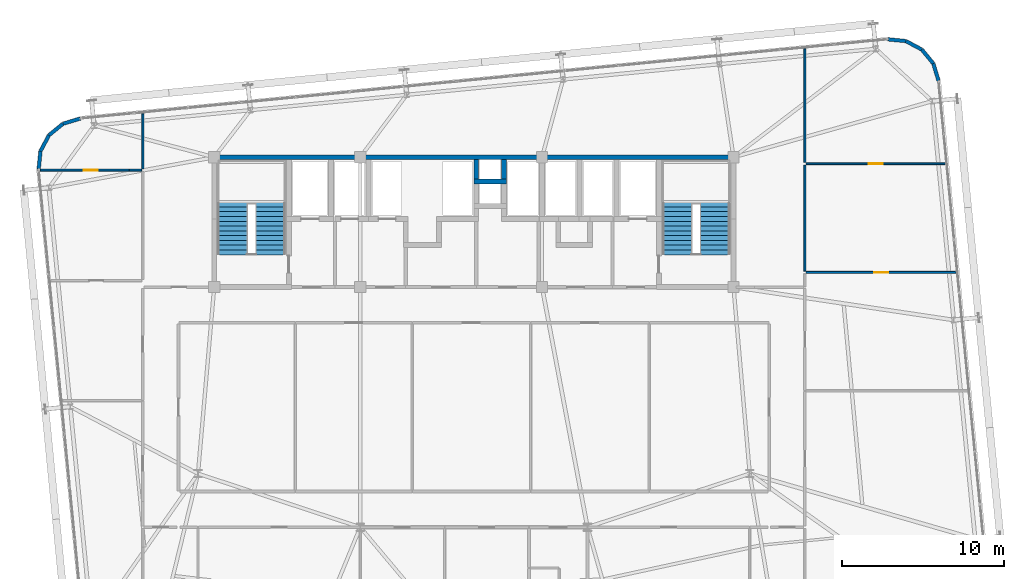
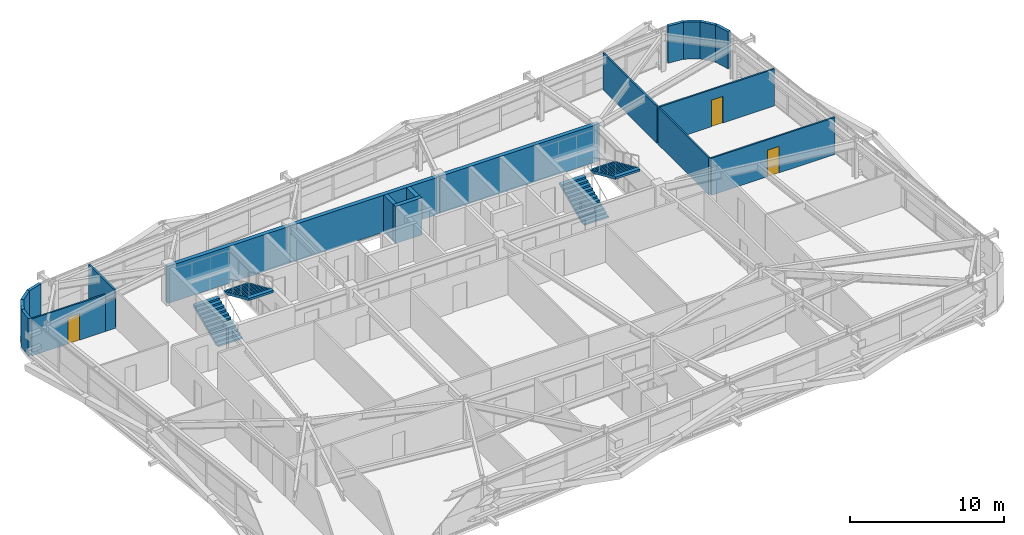
# One storey, part 49 of 52: 21 walls, 4 stair flights, 3 doors, 3 openings, 2 elements without a shape of their own.
"""IFC4 building model written with IfcOpenShell, lengths in metres."""

from ifc_helpers import new_model, si_unit, direction, frame, frame_2d, origin, place, context, subcontext, project, spatial, polyline, rectangle, outline, extrude, source, transform, mapped, material, layer, layer_set, type_object, element, fill, aggregate, save


model = new_model("IFC4")

# Units and contexts
model_context = context("Model", 3, precision=1e-05, world=origin(), true_north=direction((0.0, 1.0)))
body_context = subcontext(model_context, "Body", "Model", "MODEL_VIEW")
ifc_project = project(units=[si_unit("LENGTHUNIT", "METRE"), si_unit("AREAUNIT", "SQUARE_METRE"), si_unit("VOLUMEUNIT", "CUBIC_METRE"), si_unit("PLANEANGLEUNIT", "RADIAN"), si_unit("MASSUNIT", "GRAM", prefix="KILO")], contexts=[model_context])

# Site, building, storey
site_placement = place(None, origin())
site = spatial("IfcSite", under=ifc_project, at=site_placement, CompositionType="ELEMENT")
building_placement = place(site_placement, origin())
building = spatial("IfcBuilding", under=site, at=building_placement, Name="Taldren Reach Tower", CompositionType="ELEMENT")
storey_placement = place(building_placement, frame((0.0, 0.0, 93.449951171875)))
storey = spatial("IfcBuildingStorey", under=building, at=storey_placement, Name="L28", CompositionType="ELEMENT", Elevation=93.449951171875)

# Walls
ifc_material_1 = material(Name="Pale Champagne Anodised Aluminium Cladding", Category="aluminium")
ifc_layer_1 = layer(ifc_material_1, 0.04, Name="Pale Champagne Anodised Aluminium Cladding", Category="aluminium")
ifc_material_2 = material(Name="Mineral Wool Acoustic Insulation", Category="insulation")
ifc_layer_2 = layer(ifc_material_2, 0.06, Name="Mineral Wool Acoustic Insulation", Category="insulation")
ifc_material_3 = material(Name="Steel Gr 350 (C350L0)", Category="steel")
ifc_layer_3 = layer(ifc_material_3, 0.12, Name="Steel Gr 350 (C350L0)", Category="steel")
ifc_layer_set_1 = layer_set([ifc_layer_1, ifc_layer_2, ifc_layer_3], Name="Pale Champagne Aluminium Cladding and Steel Gr 350 Stud Framing")
wall_type_1 = type_object("IfcWallType", Name="EW-CRN-220", PredefinedType="SOLIDWALL", material=ifc_layer_set_1)
shared_shape_1 = source(origin(), body_context, "Body", "SweptSolid", [
    extrude(rectangle(XDim=1.115966796875, YDim=0.219970703125, at=frame_2d((0.55810546875, 0.0))), origin(), (0.0, 0.0, 1.0), 2.929931640625),
])
for number, where, z_axis, x_axis, name in (
    (1, (63.6376953125, 36.6982421875, 0.0), (0.0, 0.0, 1.0), (-0.289855603468, 0.957070388811, 0.0), "Rounded-corner pale-metal facade wall L28-NE1"),
    (2, (62.606689453125, 38.629150390625, 0.0), (0.0, 0.0, 1.0), (-0.881655534635, 0.471893545461, 0.0), "Rounded-corner pale-metal facade wall L28-NE3"),
    (3, (61.622802734375, 39.15576171875, 0.0), (0.0, 0.0, 1.0), (-0.995142755671, 0.09844234778, 0.0), "Rounded-corner pale-metal facade wall L28-NE4"),
    (4, (10.7509765625, 34.386474609375, 0.0), (0.0, 0.0, 1.0), (-0.957070388811, -0.289855603468, 0.0), "Rounded-corner pale-metal facade wall L28-NW1"),
):
    element("IfcWall", number, at=place(storey_placement, frame(where, z_axis=z_axis, x_axis=x_axis)), inside=storey, type_object=wall_type_1, Name=name, PredefinedType="SOLIDWALL", context=body_context, shape_type="MappedRepresentation", body=[
        mapped(shared_shape_1, transform((0.0, 0.0, 0.0), scale=1.0)),
    ])
shared_shape_2 = source(origin(), body_context, "Body", "SweptSolid", [
    extrude(rectangle(XDim=1.11572265625, YDim=0.219970703125, at=frame_2d((0.557861328125, 0.0))), origin(), (0.0, 0.0, 1.0), 2.929931640625),
])
for number, where, z_axis, x_axis, name in (
    (5, (63.314208984375, 37.766357421875, 0.0), (0.0, 0.0, 1.0), (-0.634095287989, 0.773254916409, 0.0), "Rounded-corner pale-metal facade wall L28-NE2"),
    (6, (9.682861328125, 34.06298828125, 0.0), (0.0, 0.0, 1.0), (-0.773254916409, -0.634095287989, 0.0), "Rounded-corner pale-metal facade wall L28-NW2"),
    (7, (8.29345703125, 32.371337890625, 0.0), (0.0, 0.0, 1.0), (-0.098463783145, -0.99514063499, 0.0), "Rounded-corner pale-metal facade wall L28-NW4"),
):
    element("IfcWall", number, at=place(storey_placement, frame(where, z_axis=z_axis, x_axis=x_axis)), inside=storey, type_object=wall_type_1, Name=name, PredefinedType="SOLIDWALL", context=body_context, shape_type="MappedRepresentation", body=[
        mapped(shared_shape_2, transform((0.0, 0.0, 0.0), scale=1.0)),
    ])
shared_shape_3 = source(origin(), body_context, "Body", "SweptSolid", [
    extrude(rectangle(XDim=1.1162109375, YDim=0.219970703125, at=frame_2d((0.55810546875, 0.0))), origin(), (0.0, 0.0, 1.0), 2.929931640625),
])
wall_1_placement = place(storey_placement, frame((8.820068359375, 33.35546875, 0.0), z_axis=(0.0, 0.0, 1.0), x_axis=(-0.471802540493, -0.881704237704, 0.0)))
element("IfcWall", 8, at=wall_1_placement, inside=storey, type_object=wall_type_1, Name="Rounded-corner pale-metal facade wall L28-NW3", PredefinedType="SOLIDWALL", context=body_context, shape_type="MappedRepresentation", body=[
    mapped(shared_shape_3, transform((0.0, 0.0, 0.0), scale=1.0)),
])
ifc_material_4 = material(Name="Concrete S65 (65 MPa)", Category="concrete")
ifc_layer_4 = layer(ifc_material_4, 0.300048828125)
ifc_layer_set_2 = layer_set([ifc_layer_4], Name="Concrete S65 (65 MPa)")
wall_type_2 = type_object("IfcWallType", Name="IW-CORE-300", PredefinedType="SHEAR", material=ifc_layer_set_2)
shared_shape_4 = source(origin(), body_context, "Body", "SweptSolid", [
    extrude(rectangle(XDim=9.14990234375, YDim=0.300048828125, at=frame_2d((4.574951171875, 0.0))), origin(), (0.0, 0.0, 1.0), 2.929931640625),
])
wall_2_placement = place(storey_placement, frame((18.85009765625, 32.0, 0.0), z_axis=(0.0, 0.0, 1.0), x_axis=(1.0, 0.0, 0.0)))
element("IfcWall", 9, at=wall_2_placement, inside=storey, type_object=wall_type_2, Name="Rear Core Shear Wall W-CORE-L28-NORTH1", PredefinedType="SHEAR", context=body_context, shape_type="MappedRepresentation", body=[
    mapped(shared_shape_4, transform((0.0, 0.0, 0.0), scale=1.0)),
])
shared_shape_5 = source(origin(), body_context, "Body", "SweptSolid", [
    extrude(rectangle(XDim=11.199951171875, YDim=0.300048828125, at=frame_2d((5.60009765625, 0.0))), origin(), (0.0, 0.0, 1.0), 2.929931640625),
])
wall_3_placement = place(storey_placement, frame((28.0, 32.0, 0.0), z_axis=(0.0, 0.0, 1.0), x_axis=(1.0, 0.0, 0.0)))
element("IfcWall", 10, at=wall_3_placement, inside=storey, type_object=wall_type_2, Name="Rear Core Shear Wall W-CORE-L28-NORTH2", PredefinedType="SHEAR", context=body_context, shape_type="MappedRepresentation", body=[
    mapped(shared_shape_5, transform((0.0, 0.0, 0.0), scale=1.0)),
])
shared_shape_6 = source(origin(), body_context, "Body", "SweptSolid", [
    extrude(rectangle(XDim=11.949951171875, YDim=0.300048828125, at=frame_2d((5.97509765625, 0.0))), origin(), (0.0, 0.0, 1.0), 2.929931640625),
])
wall_4_placement = place(storey_placement, frame((39.199951171875, 32.0, 0.0), z_axis=(0.0, 0.0, 1.0), x_axis=(1.0, 0.0, 0.0)))
element("IfcWall", 11, at=wall_4_placement, inside=storey, type_object=wall_type_2, Name="Rear Core Shear Wall W-CORE-L28-NORTH3", PredefinedType="SHEAR", context=body_context, shape_type="MappedRepresentation", body=[
    mapped(shared_shape_6, transform((0.0, 0.0, 0.0), scale=1.0)),
])
shared_shape_7 = source(origin(), body_context, "Body", "SweptSolid", [
    extrude(rectangle(XDim=2.0, YDim=0.300048828125, at=frame_2d((1.0, 0.0))), origin(), (0.0, 0.0, 1.0), 2.929931640625),
])
wall_5_placement = place(storey_placement, frame((35.0, 30.5, 0.0), z_axis=(0.0, 0.0, 1.0), x_axis=(1.0, 0.0, 0.0)))
element("IfcWall", 12, at=wall_5_placement, inside=storey, type_object=wall_type_2, Name="Rear Core Shear Wall W-INT-L28-015", PredefinedType="SHEAR", context=body_context, shape_type="MappedRepresentation", body=[
    mapped(shared_shape_7, transform((0.0, 0.0, 0.0), scale=1.0)),
])
shared_shape_8 = source(origin(), body_context, "Body", "SweptSolid", [
    extrude(rectangle(XDim=1.2001953125, YDim=0.300048828125, at=frame_2d((0.60009765625, 0.0))), origin(), (0.0, 0.0, 1.0), 2.929931640625),
])
for number, where, z_axis, x_axis, name in (
    (13, (35.14990234375, 31.85009765625, 0.0), (0.0, 0.0, 1.0), (0.0, -1.0, 0.0), "Rear Core Shear Wall W-INT-L28-016"),
    (14, (36.85009765625, 30.64990234375, 0.0), (0.0, 0.0, 1.0), (0.0, 1.0, 0.0), "Rear Core Shear Wall W-INT-L28-017"),
):
    element("IfcWall", number, at=place(storey_placement, frame(where, z_axis=z_axis, x_axis=x_axis)), inside=storey, type_object=wall_type_2, Name=name, PredefinedType="SHEAR", context=body_context, shape_type="MappedRepresentation", body=[
        mapped(shared_shape_8, transform((0.0, 0.0, 0.0), scale=1.0)),
    ])

# Wall, opening, door
ifc_material_5 = material(Name="Insulated Residential Stud Partition", Category="gypsum")
ifc_layer_5 = layer(ifc_material_5, 0.1201171875)
ifc_layer_set_3 = layer_set([ifc_layer_5], Name="Insulated Residential Stud Partition")
wall_type_3 = type_object("IfcWallType", Name="IW-PART-120", PredefinedType="PARTITIONING", material=ifc_layer_set_3)
shared_shape_9 = source(origin(), body_context, "Body", "SweptSolid", [
    extrude(rectangle(XDim=5.48388671875, YDim=0.1201171875, at=frame_2d((2.741943359375, 0.0))), origin(), (0.0, 0.0, 1.0), 2.929931640625),
])
wall_6_placement = place(storey_placement, frame((8.287841796875, 31.199951171875, 0.0), z_axis=(0.0, 0.0, 1.0), x_axis=(1.0, 0.0, 0.0)))
wall_6 = element("IfcWall", 15, at=wall_6_placement, inside=storey, type_object=wall_type_3, Name="Interior Partition Wall W-INT-L28-093", PredefinedType="PARTITIONING", context=body_context, shape_type="MappedRepresentation", body=[
    mapped(shared_shape_9, transform((0.0, 0.0, 0.0), scale=1.0)),
])
shared_shape_10 = source(origin(), body_context, "Body", "SweptSolid", [
    extrude(rectangle(XDim=0.860107421875, YDim=2.10009765625, at=frame_2d((0.43017578125, 1.050048828125))), frame((0.0, 0.070068359375, 0.0), z_axis=(0.0, -1.0, 0.0), x_axis=(1.0, 0.0, 0.0)), (0.0, 0.0, 1.0), 0.14013671875),
])
opening_1_placement = place(wall_6_placement, frame((2.68603515625, 0.0, 0.0)))
opening_1 = element("IfcOpeningElement", 16, at=opening_1_placement, cuts=wall_6, Name="Opening DI-086", PredefinedType="OPENING", context=body_context, shape_type="MappedRepresentation", body=[
    mapped(shared_shape_10, transform((0.0, 0.0, 0.0), scale=1.0)),
])
ifc_material_6 = material(Name="Timber Bathroom Door", Category="wood")
door_type = type_object("IfcDoorType", Name="ID-INT-086", OperationType="NOTDEFINED", PredefinedType="DOOR", material=ifc_material_6)
shared_shape_11 = source(origin(), body_context, "Body", "SweptSolid", [
    extrude(rectangle(XDim=0.860107421875, YDim=2.10009765625, at=frame_2d((0.43017578125, 1.050048828125))), frame((0.0, 0.02490234375, 0.0), z_axis=(0.0, -1.0, 0.0), x_axis=(1.0, 0.0, 0.0)), (0.0, 0.0, 1.0), 0.050048828125),
])
door_1_placement = place(opening_1_placement, origin())
door_1 = element("IfcDoor", 17, at=door_1_placement, inside=storey, type_object=door_type, Name="Interior Door DR-L28-028", OperationType="SINGLE_SWING_LEFT", OverallHeight=2.10009765625, OverallWidth=0.860107421875, PredefinedType="DOOR", context=body_context, shape_type="MappedRepresentation", body=[
    mapped(shared_shape_11, transform((0.0, 0.0, 0.0), scale=1.0)),
])
fill(opening_1, door_1)

# Walls
shared_shape_12 = source(origin(), body_context, "Body", "SweptSolid", [
    extrude(rectangle(XDim=0.748291015625, YDim=0.1201171875, at=frame_2d((0.3740234375, 0.0))), origin(), (0.0, 0.0, 1.0), 2.39697265625),
])
wall_7_placement = place(storey_placement, frame((13.771728515625, 31.199951171875, 0.0), z_axis=(0.0, 0.0, 1.0), x_axis=(1.0, 0.0, 0.0)))
element("IfcWall", 18, at=wall_7_placement, inside=storey, type_object=wall_type_3, Name="Interior Partition Wall W-INT-L28-093 part 2", PredefinedType="PARTITIONING", context=body_context, shape_type="MappedRepresentation", body=[
    mapped(shared_shape_12, transform((0.0, 0.0, 0.0), scale=1.0)),
])
shared_shape_13 = source(origin(), body_context, "Body", "SweptSolid", [
    extrude(rectangle(XDim=3.385498046875, YDim=0.1201171875, at=frame_2d((1.69287109375, 0.0))), origin(), (0.0, 0.0, 1.0), 2.929931640625),
])
wall_8_placement = place(storey_placement, frame((14.60009765625, 34.66552734375, 0.0), z_axis=(0.0, 0.0, 1.0), x_axis=(0.0, -1.0, 0.0)))
element("IfcWall", 19, at=wall_8_placement, inside=storey, type_object=wall_type_3, Name="Interior Partition Wall W-INT-L28-095", PredefinedType="PARTITIONING", context=body_context, shape_type="MappedRepresentation", body=[
    mapped(shared_shape_13, transform((0.0, 0.0, 0.0), scale=1.0)),
])

# Wall, opening, door
shared_shape_14 = source(origin(), body_context, "Body", "SweptSolid", [
    extrude(rectangle(XDim=9.23193359375, YDim=0.1201171875, at=frame_2d((4.615966796875, 0.0))), origin(), (0.0, 0.0, 1.0), 2.929931640625),
])
wall_9_placement = place(storey_placement, frame((55.47998046875, 24.89990234375, 0.0), z_axis=(0.0, 0.0, 1.0), x_axis=(1.0, 0.0, 0.0)))
wall_9 = element("IfcWall", 20, at=wall_9_placement, inside=storey, type_object=wall_type_3, Name="Interior Partition Wall W-INT-L28-097", PredefinedType="PARTITIONING", context=body_context, shape_type="MappedRepresentation", body=[
    mapped(shared_shape_14, transform((0.0, 0.0, 0.0), scale=1.0)),
])
opening_2_placement = place(wall_9_placement, frame((4.18603515625, 0.0, 0.0)))
opening_2 = element("IfcOpeningElement", 21, at=opening_2_placement, cuts=wall_9, Name="Opening DI-086", PredefinedType="OPENING", context=body_context, shape_type="MappedRepresentation", body=[
    mapped(shared_shape_10, transform((0.0, 0.0, 0.0), scale=1.0)),
])
door_2_placement = place(opening_2_placement, origin())
door_2 = element("IfcDoor", 22, at=door_2_placement, inside=storey, type_object=door_type, Name="Interior Door DR-L28-029", OperationType="SINGLE_SWING_RIGHT", OverallHeight=2.10009765625, OverallWidth=0.860107421875, PredefinedType="DOOR", context=body_context, shape_type="MappedRepresentation", body=[
    mapped(shared_shape_11, transform((0.0, 0.0, 0.0), scale=1.0)),
])
fill(opening_2, door_2)

shared_shape_15 = source(origin(), body_context, "Body", "SweptSolid", [
    extrude(rectangle(XDim=8.574951171875, YDim=0.1201171875, at=frame_2d((4.28759765625, 0.0))), origin(), (0.0, 0.0, 1.0), 2.929931640625),
])
wall_10_placement = place(storey_placement, frame((55.47998046875, 31.60009765625, 0.0), z_axis=(0.0, 0.0, 1.0), x_axis=(1.0, 0.0, 0.0)))
wall_10 = element("IfcWall", 23, at=wall_10_placement, inside=storey, type_object=wall_type_3, Name="Interior Partition Wall W-INT-L28-099", PredefinedType="PARTITIONING", context=body_context, shape_type="MappedRepresentation", body=[
    mapped(shared_shape_15, transform((0.0, 0.0, 0.0), scale=1.0)),
])
opening_3_placement = place(wall_10_placement, frame((3.857421875, 0.0, 0.0)))
opening_3 = element("IfcOpeningElement", 24, at=opening_3_placement, cuts=wall_10, Name="Opening DI-086", PredefinedType="OPENING", context=body_context, shape_type="MappedRepresentation", body=[
    mapped(shared_shape_10, transform((0.0, 0.0, 0.0), scale=1.0)),
])
door_3_placement = place(opening_3_placement, frame((0.860107421875, 0.0, 0.0), z_axis=(0.0, 0.0, 1.0), x_axis=(-1.0, 0.0, 0.0)))
door_3 = element("IfcDoor", 25, at=door_3_placement, inside=storey, type_object=door_type, Name="Interior Door DR-L28-030", OperationType="SINGLE_SWING_RIGHT", OverallHeight=2.10009765625, OverallWidth=0.860107421875, PredefinedType="DOOR", context=body_context, shape_type="MappedRepresentation", body=[
    mapped(shared_shape_11, transform((0.0, 0.0, 0.0), scale=1.0)),
])
fill(opening_3, door_3)

# Walls
shared_shape_16 = source(origin(), body_context, "Body", "SweptSolid", [
    extrude(rectangle(XDim=6.5400390625, YDim=0.1201171875, at=frame_2d((3.27001953125, 0.0))), origin(), (0.0, 0.0, 1.0), 2.929931640625),
])
wall_11_placement = place(storey_placement, frame((55.39990234375, 24.97998046875, 0.0), z_axis=(0.0, 0.0, 1.0), x_axis=(0.0, 1.0, 0.0)))
element("IfcWall", 26, at=wall_11_placement, inside=storey, type_object=wall_type_3, Name="Interior Partition Wall W-INT-L28-100", PredefinedType="PARTITIONING", context=body_context, shape_type="MappedRepresentation", body=[
    mapped(shared_shape_16, transform((0.0, 0.0, 0.0), scale=1.0)),
])
shared_shape_17 = source(origin(), body_context, "Body", "SweptSolid", [
    extrude(rectangle(XDim=7.001708984375, YDim=0.1201171875, at=frame_2d((3.5009765625, 0.0))), origin(), (0.0, 0.0, 1.0), 2.929931640625),
])
wall_12_placement = place(storey_placement, frame((55.39990234375, 31.679931640625, 0.0), z_axis=(0.0, 0.0, 1.0), x_axis=(0.0, 1.0, 0.0)))
element("IfcWall", 27, at=wall_12_placement, inside=storey, type_object=wall_type_3, Name="Interior Partition Wall W-INT-L28-101", PredefinedType="PARTITIONING", context=body_context, shape_type="MappedRepresentation", body=[
    mapped(shared_shape_17, transform((0.0, 0.0, 0.0), scale=1.0)),
])

# Stair, stair flights
ifc_material_7 = material(Name="Concrete S50 (50 MPa)", Category="concrete")
stair_type = type_object("IfcStairType", Name="ST-HT-315", PredefinedType="HALF_TURN_STAIR", material=ifc_material_7)
stair_1_placement = place(storey_placement, origin())
stair_1 = element("IfcStair", 28, at=stair_1_placement, inside=storey, type_object=stair_type, Name="Fire-isolated exit stair ST1 L28", PredefinedType="HALF_TURN_STAIR")
stair_flight_type = type_object("IfcStairFlightType", Name="SF-STR-315", PredefinedType="STRAIGHT", material=ifc_material_7)
stair_flight_1_placement = place(storey_placement, frame((20.139892578125, 25.989990234375, 0.0), z_axis=(0.0, 0.0, 1.0), x_axis=(0.0, 1.0, 0.0)))
stair_flight_1 = element("IfcStairFlight", 29, at=stair_flight_1_placement, type_object=stair_flight_type, Name="ST1 flight 1", NumberOfRisers=12, NumberOfTreads=11, PredefinedType="STRAIGHT", RiserHeight=0.13125, TreadLength=0.295, context=body_context, shape_type="SweptSolid", body=[
    extrude(outline(polyline([(0.0, 0.0), (0.0, 0.13134765625), (0.294921875, 0.13134765625), (0.294921875, 0.262451171875), (0.590087890625, 0.262451171875), (0.590087890625, 0.393798828125), (0.885009765625, 0.393798828125), (0.885009765625, 0.52490234375), (1.179931640625, 0.52490234375), (1.179931640625, 0.65625), (1.47509765625, 0.65625), (1.47509765625, 0.78759765625), (1.77001953125, 0.78759765625), (1.77001953125, 0.918701171875), (2.06494140625, 0.918701171875), (2.06494140625, 1.050048828125), (2.360107421875, 1.050048828125), (2.360107421875, 1.18115234375), (2.655029296875, 1.18115234375), (2.655029296875, 1.3125), (2.949951171875, 1.3125), (2.949951171875, 1.44384765625), (3.2451171875, 1.44384765625), (3.2451171875, 1.574951171875), (3.2451171875, 1.268798828125), (0.393310546875, 0.0), (0.0, 0.0)])), frame((0.0, 0.919921875, 0.0), z_axis=(0.0, -1.0, 0.0), x_axis=(1.0, 0.0, 0.0)), (0.0, 0.0, 1.0), 1.840087890625),
])
stair_flight_2_placement = place(storey_placement, frame((22.4599609375, 29.235107421875, 1.574951171875), z_axis=(0.0, 0.0, 1.0), x_axis=(0.0, -1.0, 0.0)))
stair_flight_2 = element("IfcStairFlight", 30, at=stair_flight_2_placement, type_object=stair_flight_type, Name="ST1 flight 2", NumberOfRisers=12, NumberOfTreads=11, PredefinedType="STRAIGHT", RiserHeight=0.13125, TreadLength=0.295, context=body_context, shape_type="SweptSolid", body=[
    extrude(outline(polyline([(0.0, 0.0), (0.0, 0.13134765625), (0.294921875, 0.13134765625), (0.294921875, 0.262451171875), (0.590087890625, 0.262451171875), (0.590087890625, 0.393798828125), (0.885009765625, 0.393798828125), (0.885009765625, 0.52490234375), (1.179931640625, 0.52490234375), (1.179931640625, 0.65625), (1.47509765625, 0.65625), (1.47509765625, 0.78759765625), (1.77001953125, 0.78759765625), (1.77001953125, 0.918701171875), (2.06494140625, 0.918701171875), (2.06494140625, 1.050048828125), (2.360107421875, 1.050048828125), (2.360107421875, 1.18115234375), (2.655029296875, 1.18115234375), (2.655029296875, 1.3125), (2.949951171875, 1.3125), (2.949951171875, 1.44384765625), (3.2451171875, 1.44384765625), (3.2451171875, 1.574951171875), (3.2451171875, 1.268798828125), (0.393310546875, 0.0), (0.0, 0.0)])), frame((0.0, 0.919921875, 0.0), z_axis=(0.0, -1.0, 0.0), x_axis=(1.0, 0.0, 0.0)), (0.0, 0.0, 1.0), 1.840087890625),
])
aggregate(stair_1, [stair_flight_1, stair_flight_2])

stair_2_placement = place(storey_placement, origin())
stair_2 = element("IfcStair", 31, at=stair_2_placement, inside=storey, type_object=stair_type, Name="Fire-isolated exit stair ST2 L28", PredefinedType="HALF_TURN_STAIR")
stair_flight_3_placement = place(storey_placement, frame((47.5400390625, 25.989990234375, 0.0), z_axis=(0.0, 0.0, 1.0), x_axis=(0.0, 1.0, 0.0)))
stair_flight_3 = element("IfcStairFlight", 32, at=stair_flight_3_placement, type_object=stair_flight_type, Name="ST2 flight 1", NumberOfRisers=12, NumberOfTreads=11, PredefinedType="STRAIGHT", RiserHeight=0.13125, TreadLength=0.295, context=body_context, shape_type="SweptSolid", body=[
    extrude(outline(polyline([(0.0, 0.0), (0.0, 0.13134765625), (0.294921875, 0.13134765625), (0.294921875, 0.262451171875), (0.590087890625, 0.262451171875), (0.590087890625, 0.393798828125), (0.885009765625, 0.393798828125), (0.885009765625, 0.52490234375), (1.179931640625, 0.52490234375), (1.179931640625, 0.65625), (1.47509765625, 0.65625), (1.47509765625, 0.78759765625), (1.77001953125, 0.78759765625), (1.77001953125, 0.918701171875), (2.06494140625, 0.918701171875), (2.06494140625, 1.050048828125), (2.360107421875, 1.050048828125), (2.360107421875, 1.18115234375), (2.655029296875, 1.18115234375), (2.655029296875, 1.3125), (2.949951171875, 1.3125), (2.949951171875, 1.44384765625), (3.2451171875, 1.44384765625), (3.2451171875, 1.574951171875), (3.2451171875, 1.268798828125), (0.393310546875, 0.0), (0.0, 0.0)])), frame((0.0, 0.919921875, 0.0), z_axis=(0.0, -1.0, 0.0), x_axis=(1.0, 0.0, 0.0)), (0.0, 0.0, 1.0), 1.840087890625),
])
stair_flight_4_placement = place(storey_placement, frame((49.860107421875, 29.235107421875, 1.574951171875), z_axis=(0.0, 0.0, 1.0), x_axis=(0.0, -1.0, 0.0)))
stair_flight_4 = element("IfcStairFlight", 33, at=stair_flight_4_placement, type_object=stair_flight_type, Name="ST2 flight 2", NumberOfRisers=12, NumberOfTreads=11, PredefinedType="STRAIGHT", RiserHeight=0.13125, TreadLength=0.295, context=body_context, shape_type="SweptSolid", body=[
    extrude(outline(polyline([(0.0, 0.0), (0.0, 0.13134765625), (0.294921875, 0.13134765625), (0.294921875, 0.262451171875), (0.590087890625, 0.262451171875), (0.590087890625, 0.393798828125), (0.885009765625, 0.393798828125), (0.885009765625, 0.52490234375), (1.179931640625, 0.52490234375), (1.179931640625, 0.65625), (1.47509765625, 0.65625), (1.47509765625, 0.78759765625), (1.77001953125, 0.78759765625), (1.77001953125, 0.918701171875), (2.06494140625, 0.918701171875), (2.06494140625, 1.050048828125), (2.360107421875, 1.050048828125), (2.360107421875, 1.18115234375), (2.655029296875, 1.18115234375), (2.655029296875, 1.3125), (2.949951171875, 1.3125), (2.949951171875, 1.44384765625), (3.2451171875, 1.44384765625), (3.2451171875, 1.574951171875), (3.2451171875, 1.268798828125), (0.393310546875, 0.0), (0.0, 0.0)])), frame((0.0, 0.919921875, 0.0), z_axis=(0.0, -1.0, 0.0), x_axis=(1.0, 0.0, 0.0)), (0.0, 0.0, 1.0), 1.840087890625),
])
aggregate(stair_2, [stair_flight_3, stair_flight_4])

save(model, "model.ifc")
